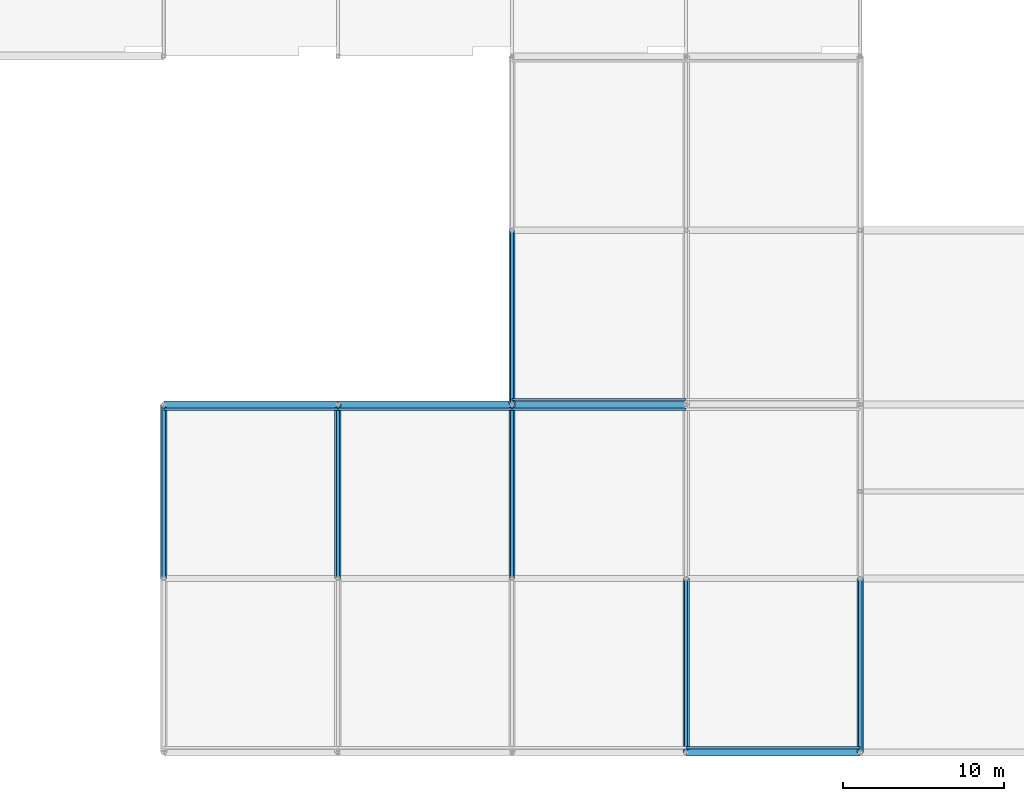
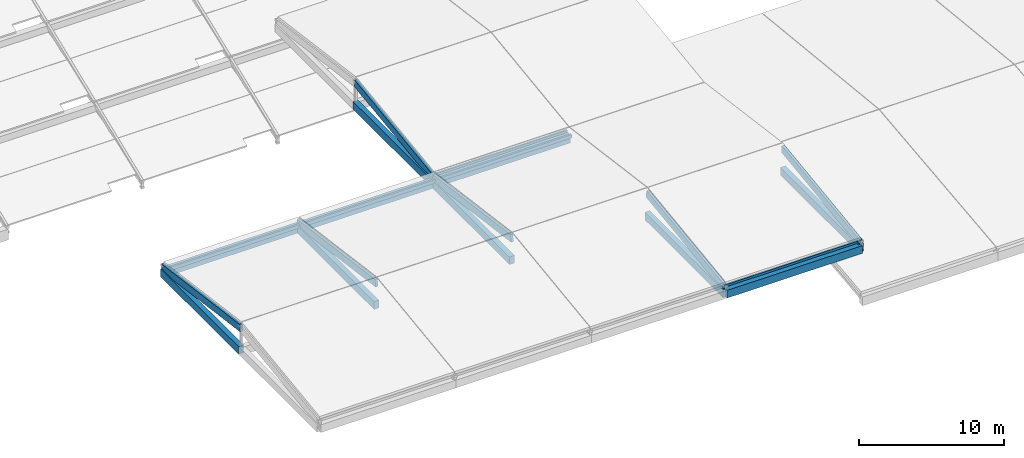
# One storey, part 51 of 112: 11 members, 10 beams.
"""IFC4 building model written with IfcOpenShell, lengths in metres."""

from ifc_helpers import new_model, si_unit, direction, frame, origin, origin_2d, place, context, subcontext, project, spatial, rectangle, extrude, material, material_profile, profile_set, type_object, element, save


model = new_model("IFC4")

# Units and contexts
model_context = context("Model", 3, precision=1e-05, world=origin(), true_north=direction((0.0, 1.0)))
body_context = subcontext(model_context, "Body", "Model", "MODEL_VIEW")
ifc_project = project(units=[si_unit("LENGTHUNIT", "METRE"), si_unit("AREAUNIT", "SQUARE_METRE"), si_unit("VOLUMEUNIT", "CUBIC_METRE"), si_unit("PLANEANGLEUNIT", "RADIAN"), si_unit("MASSUNIT", "GRAM", prefix="KILO")], contexts=[model_context])

# Site, building, storey
site_placement = place(None, origin())
site = spatial("IfcSite", under=ifc_project, at=site_placement, CompositionType="ELEMENT")
building_placement = place(site_placement, origin())
building = spatial("IfcBuilding", under=site, at=building_placement, Name="Zwinboog Wholesale Market", CompositionType="ELEMENT")
storey_placement = place(building_placement, frame((0.0, 0.0, 19.080078125)))
storey = spatial("IfcBuildingStorey", under=building, at=storey_placement, Name="Roof", CompositionType="ELEMENT", Elevation=19.080078125)

# Beams
ifc_material_1 = material(Name="Precast concrete C45/55", Category="concrete")
ifc_material_profile_1 = material_profile(ifc_material_1, rectangle(XDim=0.39990234375, YDim=0.64990234375, at=origin_2d()), Name="PC 400x650")
ifc_profile_set_1 = profile_set([ifc_material_profile_1], Name="Precast concrete C45/55")
beam_type = type_object("IfcBeamType", Name="BT-05", PredefinedType="BEAM", material=ifc_profile_set_1)
beam_1_placement = place(storey_placement, frame((129.60009765625, 21.60009765625, -0.3251953125), z_axis=(1.0, 0.0, 0.0), x_axis=(0.0, 1.0, 0.0)))
element("IfcBeam", 1, at=beam_1_placement, inside=storey, type_object=beam_type, Name="BG-05 (BMG-Roof-1296-0216-1289)", PredefinedType="BEAM", context=body_context, shape_type="SweptSolid", body=[
    extrude(rectangle(XDim=0.39990234375, YDim=0.64990234375, at=origin_2d()), origin(), (0.0, 0.0, 1.0), 10.7998046875),
])
for number, where, z_axis, x_axis, name in (
    (2, (140.39990234375, 21.60009765625, -0.3251953125), (1.0, 0.0, 0.0), (0.0, 1.0, 0.0), "BG-05 (BMG-Roof-1404-0216-1292)"),
    (3, (151.199951171875, 21.60009765625, -0.3251953125), (1.0, 0.0, 0.0), (0.0, 1.0, 0.0), "BG-05 (BMG-Roof-1512-0216-1295)"),
    (4, (162.0, 0.0, -0.3251953125), (1.0, 0.0, 0.0), (0.0, 1.0, 0.0), "BG-05 (BMG-Roof-1620-0000-1298)"),
    (5, (129.60009765625, 10.800048828125, -0.3251953125), (0.0, 1.0, 0.0), (-1.0, 0.0, 0.0), "BG-05 (BMG-Roof-1296-0108-1304)"),
    (6, (140.39990234375, 10.800048828125, -0.3251953125), (0.0, 1.0, 0.0), (-1.0, 0.0, 0.0), "BG-05 (BMG-Roof-1404-0108-1306)"),
    (7, (151.199951171875, 10.800048828125, -0.3251953125), (0.0, 1.0, 0.0), (-1.0, 0.0, 0.0), "BG-05 (BMG-Roof-1512-0108-1308)"),
):
    element("IfcBeam", number, at=place(storey_placement, frame(where, z_axis=z_axis, x_axis=x_axis)), inside=storey, type_object=beam_type, Name=name, PredefinedType="BEAM", context=body_context, shape_type="SweptSolid", body=[
        extrude(rectangle(XDim=0.39990234375, YDim=0.64990234375, at=origin_2d()), origin(), (0.0, 0.0, 1.0), 10.800048828125),
    ])
beam_2_placement = place(storey_placement, frame((151.199951171875, 21.60009765625, -0.3251953125), z_axis=(0.0, 1.0, 0.0), x_axis=(-1.0, 0.0, 0.0)))
element("IfcBeam", 8, at=beam_2_placement, inside=storey, type_object=beam_type, Name="BG-05 (BMG-Roof-1512-0216-1309)", PredefinedType="BEAM", context=body_context, shape_type="SweptSolid", body=[
    extrude(rectangle(XDim=0.39990234375, YDim=0.64990234375, at=origin_2d()), origin(), (0.0, 0.0, 1.0), 10.7998046875),
])
for number, where, z_axis, x_axis, name in (
    (9, (162.0, 0.0, -0.3251953125), (0.0, 1.0, 0.0), (-1.0, 0.0, 0.0), "BG-05 (BMG-Roof-1620-0000-1311)"),
    (10, (172.800048828125, 0.0, -0.3251953125), (0.0, 1.0, 0.0), (-1.0, 0.0, 0.0), "BG-05 (BMG-Roof-1728-0000-1315)"),
):
    element("IfcBeam", number, at=place(storey_placement, frame(where, z_axis=z_axis, x_axis=x_axis)), inside=storey, type_object=beam_type, Name=name, PredefinedType="BEAM", context=body_context, shape_type="SweptSolid", body=[
        extrude(rectangle(XDim=0.39990234375, YDim=0.64990234375, at=origin_2d()), origin(), (0.0, 0.0, 1.0), 10.800048828125),
    ])

# Members
ifc_material_2 = material(Name="Glulam GL28h", Category="wood")
ifc_material_profile_2 = material_profile(ifc_material_2, rectangle(XDim=0.199951171875, YDim=0.60009765625, at=origin_2d()), Name="GL28h 200x600")
ifc_profile_set_2 = profile_set([ifc_material_profile_2], Name="Glulam GL28h")
member_type_1 = type_object("IfcMemberType", Name="MT-11", PredefinedType="RAFTER", material=ifc_profile_set_2)
for number, where, z_axis, x_axis, name in (
    (11, (129.60009765625, 10.800048828125, 1.52001953125), (0.0, 0.99110498434, -0.133082342993), (-1.0, 0.0, 0.0), "GR-03 (MEM-Roof-0903)"),
    (12, (140.39990234375, 10.800048828125, 1.52001953125), (0.0, 0.99110498434, -0.133082342993), (-1.0, 0.0, 0.0), "GR-03 (MEM-Roof-0909)"),
    (13, (151.199951171875, 10.800048828125, 1.52001953125), (0.0, 0.99110498434, -0.133082342993), (-1.0, 0.0, 0.0), "GR-03 (MEM-Roof-0915)"),
    (14, (162.0, 0.0, 0.06982421875), (0.0, 0.99110498434, 0.133082342993), (-1.0, 0.0, 0.0), "GR-03 (MEM-Roof-0920)"),
    (15, (172.800048828125, 0.0, 0.06982421875), (0.0, 0.99110498434, 0.133082342993), (-1.0, 0.0, 0.0), "GR-03 (MEM-Roof-0925)"),
):
    element("IfcMember", number, at=place(storey_placement, frame(where, z_axis=z_axis, x_axis=x_axis)), inside=storey, type_object=member_type_1, Name=name, PredefinedType="RAFTER", context=body_context, shape_type="SweptSolid", body=[
        extrude(rectangle(XDim=0.199951171875, YDim=0.60009765625, at=origin_2d()), origin(), (0.0, 0.0, 1.0), 10.89697265625),
    ])
member_1_placement = place(storey_placement, frame((151.199951171875, 21.60009765625, 0.06982421875), z_axis=(0.0, 0.991104587524, 0.133085298171), x_axis=(-1.0, 0.0, 0.0)))
element("IfcMember", 16, at=member_1_placement, inside=storey, type_object=member_type_1, Name="GR-03 (MEM-Roof-0930)", PredefinedType="RAFTER", context=body_context, shape_type="SweptSolid", body=[
    extrude(rectangle(XDim=0.199951171875, YDim=0.60009765625, at=origin_2d()), origin(), (0.0, 0.0, 1.0), 10.896728515625),
])
ifc_material_profile_3 = material_profile(ifc_material_2, rectangle(XDim=0.139892578125, YDim=0.280029296875, at=origin_2d()), Name="GL28h 140x280")
ifc_profile_set_3 = profile_set([ifc_material_profile_3], Name="Glulam GL28h")
member_type_2 = type_object("IfcMemberType", Name="MT-13", PredefinedType="PURLIN", material=ifc_profile_set_3)
for number, where, z_axis, x_axis, name in (
    (17, (162.0, 0.300048828125, 0.02001953125), (1.0, 0.0, 0.0), (0.0, 1.0, 0.0), "GP-02 (MEM-Roof-0927)"),
    (18, (151.199951171875, 21.89990234375, 0.02001953125), (1.0, 0.0, 0.0), (0.0, 1.0, 0.0), "GP-02 (MEM-Roof-0932)"),
):
    element("IfcMember", number, at=place(storey_placement, frame(where, z_axis=z_axis, x_axis=x_axis)), inside=storey, type_object=member_type_2, Name=name, PredefinedType="PURLIN", context=body_context, shape_type="SweptSolid", body=[
        extrude(rectangle(XDim=0.139892578125, YDim=0.280029296875, at=origin_2d()), origin(), (0.0, 0.0, 1.0), 10.800048828125),
    ])
member_2_placement = place(storey_placement, frame((129.60009765625, 21.300048828125, 0.02001953125), z_axis=(1.0, 0.0, 0.0), x_axis=(0.0, 1.0, 0.0)))
element("IfcMember", 19, at=member_2_placement, inside=storey, type_object=member_type_2, Name="GP-02 (MEM-PRL-Roof-0049)", PredefinedType="PURLIN", context=body_context, shape_type="SweptSolid", body=[
    extrude(rectangle(XDim=0.139892578125, YDim=0.280029296875, at=origin_2d()), origin(), (0.0, 0.0, 1.0), 10.7998046875),
])
for number, where, z_axis, x_axis, name in (
    (20, (140.39990234375, 21.300048828125, 0.02001953125), (1.0, 0.0, 0.0), (0.0, 1.0, 0.0), "GP-02 (MEM-PRL-Roof-0050)"),
    (21, (151.199951171875, 21.300048828125, 0.02001953125), (1.0, 0.0, 0.0), (0.0, 1.0, 0.0), "GP-02 (MEM-PRL-Roof-0051)"),
):
    element("IfcMember", number, at=place(storey_placement, frame(where, z_axis=z_axis, x_axis=x_axis)), inside=storey, type_object=member_type_2, Name=name, PredefinedType="PURLIN", context=body_context, shape_type="SweptSolid", body=[
        extrude(rectangle(XDim=0.139892578125, YDim=0.280029296875, at=origin_2d()), origin(), (0.0, 0.0, 1.0), 10.800048828125),
    ])

save(model, "model.ifc")
